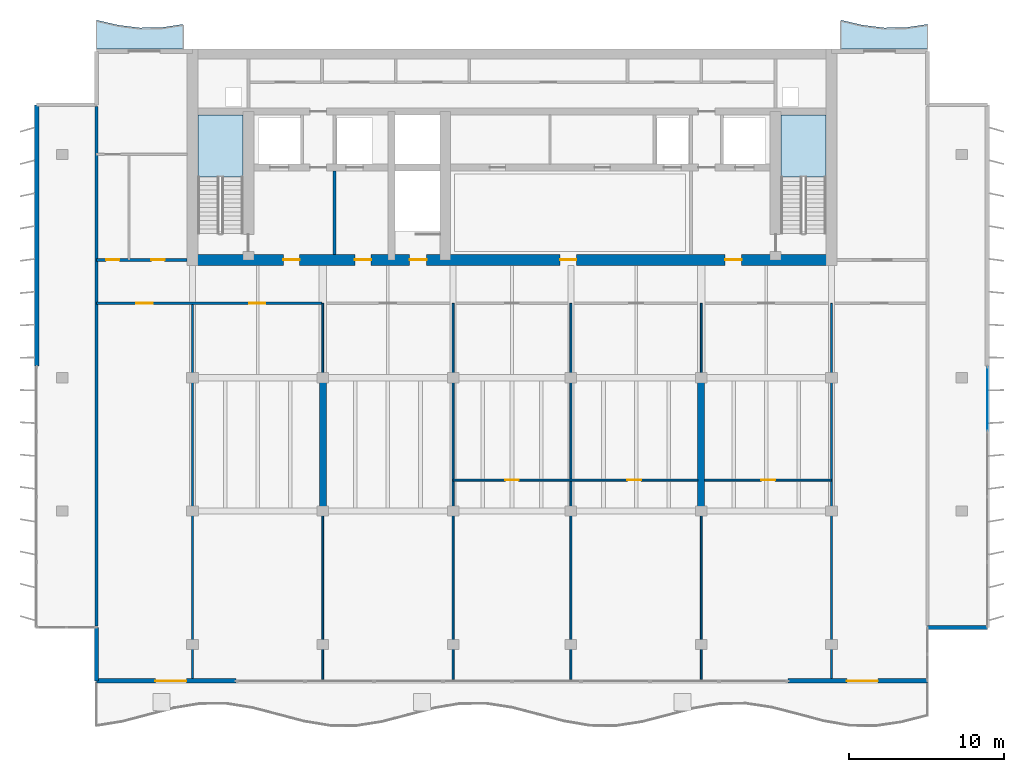
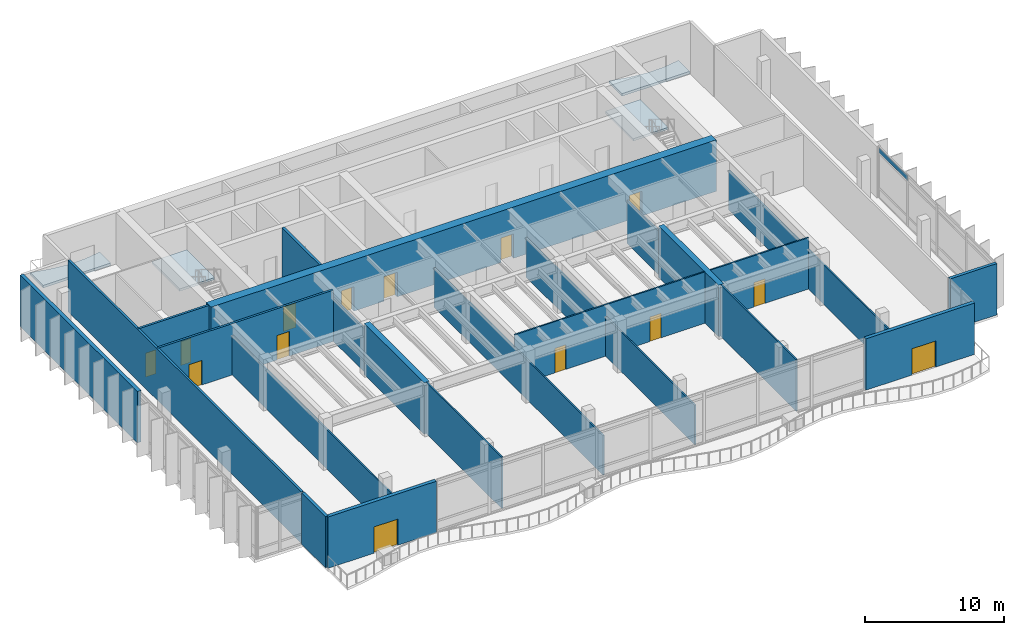
# One storey, part 6 of 14: 22 walls, 14 doors, 4 slabs, 1 plate, 14 openings, 3 elements without a shape of their own.
"""IFC4 building model written with IfcOpenShell, lengths in metres."""

from ifc_helpers import new_model, si_unit, direction, frame, frame_2d, origin, origin_2d, place, context, subcontext, project, spatial, polyline, rectangle, outline, extrude, material, layer, layer_set, type_object, element, fill, aggregate, save


model = new_model("IFC4")

# Units and contexts
model_context = context("Model", 3, precision=1e-05, world=origin(), true_north=direction((0.0, 1.0)))
body_context = subcontext(model_context, "Body", "Model", "MODEL_VIEW")
ifc_project = project(units=[si_unit("LENGTHUNIT", "METRE"), si_unit("AREAUNIT", "SQUARE_METRE"), si_unit("VOLUMEUNIT", "CUBIC_METRE"), si_unit("PLANEANGLEUNIT", "RADIAN"), si_unit("MASSUNIT", "GRAM", prefix="KILO")], contexts=[model_context])

# Site, building, storey
site_placement = place(None, origin())
site = spatial("IfcSite", under=ifc_project, at=site_placement, CompositionType="ELEMENT")
building_placement = place(site_placement, origin())
building = spatial("IfcBuilding", under=site, at=building_placement, Name="Caelmar Bay Residences", CompositionType="ELEMENT")
storey_placement = place(building_placement, frame((0.0, 0.0, 269.39990234375)))
storey = spatial("IfcBuildingStorey", under=building, at=storey_placement, Name="L76", CompositionType="ELEMENT", Elevation=269.39990234375)

# Curtain wall, plate
ifc_material_1 = material(Name="Anodised bronze aluminium 6063-T6 and laminated glass", Category="aluminium")
ifc_layer_1 = layer(ifc_material_1, 0.179931640625)
ifc_layer_set_1 = layer_set([ifc_layer_1], Name="Anodised bronze aluminium 6063-T6 and laminated glass")
curtain_wall_type = type_object("IfcCurtainWallType", Name="CW7-CRN", PredefinedType="NOTDEFINED", material=ifc_layer_set_1)
curtain_wall_placement = place(storey_placement, origin())
curtain_wall = element("IfcCurtainWall", 1, at=curtain_wall_placement, inside=storey, type_object=curtain_wall_type, Name="CW7 curtain wall L76", PredefinedType="NOTDEFINED")
ifc_material_2 = material(Name="Bronze-tinted laminated low-E hurricane glass 32 mm", Category="glass")
ifc_layer_2 = layer(ifc_material_2, 0.031982421875)
ifc_layer_set_2 = layer_set([ifc_layer_2], Name="Bronze-tinted laminated low-E hurricane glass 32 mm")
plate_type = type_object("IfcPlateType", Name="CWP-GLZ32", PredefinedType="CURTAIN_PANEL", material=ifc_layer_set_2)
plate_placement = place(storey_placement, frame((69.550048828125, 28.023681640625, 3.990234375), z_axis=(0.0, 0.0, 1.0), x_axis=(0.0, -1.0, 0.0)))
plate = element("IfcPlate", 2, at=plate_placement, type_object=plate_type, Name="CW7 panel 1.3", PredefinedType="CURTAIN_PANEL", context=body_context, shape_type="SweptSolid", body=[
    extrude(rectangle(XDim=4.092529296875, YDim=0.031982421875, at=origin_2d()), origin(), (0.0, 0.0, 1.0), 0.429931640625),
])
aggregate(curtain_wall, [plate])

# Slabs
ifc_material_3 = material(Name="Concrete f'c 40 MPa (6,000 psi)", Category="concrete")
ifc_layer_3 = layer(ifc_material_3, 0.219970703125)
ifc_layer_set_3 = layer_set([ifc_layer_3], Name="Concrete f'c 40 MPa (6,000 psi)")
slab_type_1 = type_object("IfcSlabType", Name="SLB-BAL-220", PredefinedType="FLOOR", material=ifc_layer_set_3)
slab_1_placement = place(storey_placement, frame((0.0, 0.0, -0.219970703125)))
element("IfcSlab", 3, at=slab_1_placement, inside=storey, type_object=slab_type_1, Name="L76 Sinusoidal Tree-Balcony Slab north_west", PredefinedType="FLOOR", context=body_context, shape_type="SweptSolid", body=[
    extrude(outline(polyline([(12.10009765625, 50.60009765625), (17.699951171875, 50.60009765625), (17.699951171875, 52.1982421875), (16.300048828125, 51.98681640625), (14.89990234375, 51.96630859375), (13.5, 52.142578125), (12.10009765625, 52.46826171875), (12.10009765625, 50.60009765625)])), origin(), (0.0, 0.0, 1.0), 0.219970703125),
])
slab_2_placement = place(storey_placement, frame((0.0, 0.0, -0.219970703125)))
element("IfcSlab", 4, at=slab_2_placement, inside=storey, type_object=slab_type_1, Name="L76 Sinusoidal Tree-Balcony Slab north_east", PredefinedType="FLOOR", context=body_context, shape_type="SweptSolid", body=[
    extrude(outline(polyline([(60.10009765625, 50.60009765625), (65.699951171875, 50.60009765625), (65.699951171875, 52.1982421875), (64.300048828125, 51.98681640625), (62.89990234375, 51.96630859375), (61.5, 52.142578125), (60.10009765625, 52.46826171875), (60.10009765625, 50.60009765625)])), origin(), (0.0, 0.0, 1.0), 0.219970703125),
])

# Stair, slab
stair_type = type_object("IfcStairType", Name="ST-TAL-170", PredefinedType="HALF_TURN_STAIR", material=ifc_material_3)
stair_1_placement = place(storey_placement, origin())
stair_1 = element("IfcStair", 5, at=stair_1_placement, inside=storey, type_object=stair_type, Name="L76 West Smokeproof Exit Stair ST1", PredefinedType="HALF_TURN_STAIR")
ifc_layer_4 = layer(ifc_material_3, 0.199951171875)
ifc_layer_set_4 = layer_set([ifc_layer_4], Name="Concrete f'c 40 MPa (6,000 psi)")
slab_type_2 = type_object("IfcSlabType", Name="SLB-LND-200", PredefinedType="LANDING", material=ifc_layer_set_4)
slab_3_placement = place(storey_placement, frame((0.0, 0.0, 2.2001953125)))
slab_3 = element("IfcSlab", 6, at=slab_3_placement, type_object=slab_type_2, Name="ST1 landing 1", PredefinedType="LANDING", context=body_context, shape_type="SweptSolid", body=[
    extrude(outline(polyline([(21.550048828125, 42.340087890625), (21.550048828125, 46.35009765625), (18.64990234375, 46.35009765625), (18.64990234375, 42.340087890625), (21.550048828125, 42.340087890625)])), origin(), (0.0, 0.0, 1.0), 0.199951171875),
])
aggregate(stair_1, [slab_3])

stair_2_placement = place(storey_placement, origin())
stair_2 = element("IfcStair", 7, at=stair_2_placement, inside=storey, type_object=stair_type, Name="L76 East Smokeproof Exit Stair ST2", PredefinedType="HALF_TURN_STAIR")
slab_4_placement = place(storey_placement, frame((0.0, 0.0, 2.2001953125)))
slab_4 = element("IfcSlab", 8, at=slab_4_placement, type_object=slab_type_2, Name="ST2 landing 1", PredefinedType="LANDING", context=body_context, shape_type="SweptSolid", body=[
    extrude(outline(polyline([(59.14990234375, 42.340087890625), (59.14990234375, 46.35009765625), (56.25, 46.35009765625), (56.25, 42.340087890625), (59.14990234375, 42.340087890625)])), origin(), (0.0, 0.0, 1.0), 0.199951171875),
])
aggregate(stair_2, [slab_4])

# Wall, openings, doors
ifc_material_4 = material(Name="Concrete f'c 55 MPa (8,000 psi)", Category="concrete")
ifc_layer_5 = layer(ifc_material_4, 0.699951171875)
ifc_layer_set_5 = layer_set([ifc_layer_5], Name="Concrete f'c 55 MPa (8,000 psi)")
wall_type_1 = type_object("IfcWallType", Name="SW-COR-700", PredefinedType="SHEAR", material=ifc_layer_set_5)
wall_1_placement = place(storey_placement, frame((17.949951171875, 37.0, 0.0), z_axis=(0.0, 0.0, 1.0), x_axis=(1.0, 0.0, 0.0)))
wall_1 = element("IfcWall", 9, at=wall_1_placement, inside=storey, type_object=wall_type_1, Name="L76 Rear Core South Shear Wall", PredefinedType="SHEAR", context=body_context, shape_type="SweptSolid", body=[
    extrude(rectangle(XDim=41.900146484375, YDim=0.699951171875, at=frame_2d((20.9501953125, 0.0))), origin(), (0.0, 0.0, 1.0), 4.5),
])
opening_1_placement = place(wall_1_placement, frame((14.35009765625, 0.0, 0.0)))
opening_1 = element("IfcOpeningElement", 10, at=opening_1_placement, cuts=wall_1, Name="Opening D-L76-105", PredefinedType="OPENING", context=body_context, shape_type="SweptSolid", body=[
    extrude(rectangle(XDim=1.10009765625, YDim=2.14990234375, at=frame_2d((0.550048828125, 1.074951171875))), frame((0.0, 0.35986328125, 0.0), z_axis=(0.0, -1.0, 0.0), x_axis=(1.0, 0.0, 0.0)), (0.0, 0.0, 1.0), 0.719970703125),
])
opening_2_placement = place(wall_1_placement, frame((6.199951171875, 0.0, 0.0)))
opening_2 = element("IfcOpeningElement", 11, at=opening_2_placement, cuts=wall_1, Name="Opening D-L76-106", PredefinedType="OPENING", context=body_context, shape_type="SweptSolid", body=[
    extrude(rectangle(XDim=1.050048828125, YDim=2.14990234375, at=frame_2d((0.52490234375, 1.074951171875))), frame((0.0, 0.35986328125, 0.0), z_axis=(0.0, -1.0, 0.0), x_axis=(1.0, 0.0, 0.0)), (0.0, 0.0, 1.0), 0.719970703125),
])
opening_3_placement = place(wall_1_placement, frame((34.699951171875, 0.0, 0.0)))
opening_3 = element("IfcOpeningElement", 12, at=opening_3_placement, cuts=wall_1, Name="Opening D-L76-109", PredefinedType="OPENING", context=body_context, shape_type="SweptSolid", body=[
    extrude(rectangle(XDim=1.050048828125, YDim=2.14990234375, at=frame_2d((0.52490234375, 1.074951171875))), frame((0.0, 0.35986328125, 0.0), z_axis=(0.0, -1.0, 0.0), x_axis=(1.0, 0.0, 0.0)), (0.0, 0.0, 1.0), 0.719970703125),
])
opening_4_placement = place(wall_1_placement, frame((10.8125, 0.0, 0.0)))
opening_4 = element("IfcOpeningElement", 13, at=opening_4_placement, cuts=wall_1, Name="Opening D-L76-112", PredefinedType="OPENING", context=body_context, shape_type="SweptSolid", body=[
    extrude(rectangle(XDim=1.050048828125, YDim=2.14990234375, at=frame_2d((0.52490234375, 1.074951171875))), frame((0.0, 0.35986328125, 0.0), z_axis=(0.0, -1.0, 0.0), x_axis=(1.0, 0.0, 0.0)), (0.0, 0.0, 1.0), 0.719970703125),
])
opening_5_placement = place(wall_1_placement, frame((24.050048828125, 0.0, 0.0)))
opening_5 = element("IfcOpeningElement", 14, at=opening_5_placement, cuts=wall_1, Name="Opening D-L76-113", PredefinedType="OPENING", context=body_context, shape_type="SweptSolid", body=[
    extrude(rectangle(XDim=1.050048828125, YDim=2.14990234375, at=frame_2d((0.52490234375, 1.074951171875))), frame((0.0, 0.35986328125, 0.0), z_axis=(0.0, -1.0, 0.0), x_axis=(1.0, 0.0, 0.0)), (0.0, 0.0, 1.0), 0.719970703125),
])
ifc_material_5 = material(Name="Fire-rated steel and walnut architectural door assembly", Category="steel")
ifc_layer_6 = layer(ifc_material_5, 0.050048828125)
ifc_layer_set_6 = layer_set([ifc_layer_6], Name="Fire-rated steel and walnut architectural door assembly")
door_type_1 = type_object("IfcDoorType", Name="D-FSAE-1050", OperationType="NOTDEFINED", PredefinedType="DOOR", material=ifc_layer_set_6)
door_1_placement = place(opening_2_placement, origin())
door_1 = element("IfcDoor", 15, at=door_1_placement, inside=storey, type_object=door_type_1, Name="L76 Firefighting Lobby West Door", OperationType="SINGLE_SWING_RIGHT", OverallHeight=2.14990234375, OverallWidth=1.050048828125, PredefinedType="DOOR", context=body_context, shape_type="SweptSolid", body=[
    extrude(rectangle(XDim=1.050048828125, YDim=2.14990234375, at=frame_2d((0.52490234375, 1.074951171875))), frame((0.0, 0.02490234375, 0.0), z_axis=(0.0, -1.0, 0.0), x_axis=(1.0, 0.0, 0.0)), (0.0, 0.0, 1.0), 0.050048828125),
])
fill(opening_2, door_1)
door_2_placement = place(opening_3_placement, origin())
door_2 = element("IfcDoor", 16, at=door_2_placement, inside=storey, type_object=door_type_1, Name="L76 Firefighting Lobby East Door", OperationType="SINGLE_SWING_LEFT", OverallHeight=2.14990234375, OverallWidth=1.050048828125, PredefinedType="DOOR", context=body_context, shape_type="SweptSolid", body=[
    extrude(rectangle(XDim=1.050048828125, YDim=2.14990234375, at=frame_2d((0.52490234375, 1.074951171875))), frame((0.0, 0.02490234375, 0.0), z_axis=(0.0, -1.0, 0.0), x_axis=(1.0, 0.0, 0.0)), (0.0, 0.0, 1.0), 0.050048828125),
])
fill(opening_3, door_2)
door_3_placement = place(opening_4_placement, origin())
door_3 = element("IfcDoor", 17, at=door_3_placement, inside=storey, type_object=door_type_1, Name="L76 West Lift Lobby Door", OperationType="SINGLE_SWING_RIGHT", OverallHeight=2.14990234375, OverallWidth=1.050048828125, PredefinedType="DOOR", context=body_context, shape_type="SweptSolid", body=[
    extrude(rectangle(XDim=1.050048828125, YDim=2.14990234375, at=frame_2d((0.52490234375, 1.074951171875))), frame((0.0, 0.02490234375, 0.0), z_axis=(0.0, -1.0, 0.0), x_axis=(1.0, 0.0, 0.0)), (0.0, 0.0, 1.0), 0.050048828125),
])
fill(opening_4, door_3)
door_4_placement = place(opening_5_placement, origin())
door_4 = element("IfcDoor", 18, at=door_4_placement, inside=storey, type_object=door_type_1, Name="L76 Passenger Lift Lobby Door", OperationType="SINGLE_SWING_LEFT", OverallHeight=2.14990234375, OverallWidth=1.050048828125, PredefinedType="DOOR", context=body_context, shape_type="SweptSolid", body=[
    extrude(rectangle(XDim=1.050048828125, YDim=2.14990234375, at=frame_2d((0.52490234375, 1.074951171875))), frame((0.0, 0.02490234375, 0.0), z_axis=(0.0, -1.0, 0.0), x_axis=(1.0, 0.0, 0.0)), (0.0, 0.0, 1.0), 0.050048828125),
])
fill(opening_5, door_4)
ifc_layer_7 = layer(ifc_material_5, 0.050048828125)
ifc_layer_set_7 = layer_set([ifc_layer_7], Name="Fire-rated steel and walnut architectural door assembly")
door_type_2 = type_object("IfcDoorType", Name="D-STAIR-1100", OperationType="NOTDEFINED", PredefinedType="DOOR", material=ifc_layer_set_7)
door_5_placement = place(opening_1_placement, origin())
door_5 = element("IfcDoor", 19, at=door_5_placement, inside=storey, type_object=door_type_2, Name="L76 Exit Stair ST3 Door", OperationType="SINGLE_SWING_LEFT", OverallHeight=2.14990234375, OverallWidth=1.10009765625, PredefinedType="DOOR", context=body_context, shape_type="SweptSolid", body=[
    extrude(rectangle(XDim=1.10009765625, YDim=2.14990234375, at=frame_2d((0.550048828125, 1.074951171875))), frame((0.0, 0.02490234375, 0.0), z_axis=(0.0, -1.0, 0.0), x_axis=(1.0, 0.0, 0.0)), (0.0, 0.0, 1.0), 0.050048828125),
])
fill(opening_1, door_5)

# Walls
ifc_layer_8 = layer(ifc_material_4, 0.449951171875)
ifc_layer_set_8 = layer_set([ifc_layer_8], Name="Concrete f'c 55 MPa (8,000 psi)")
wall_type_2 = type_object("IfcWallType", Name="SW-XSLB-450", PredefinedType="SHEAR", material=ifc_layer_set_8)
for number, where, z_axis, x_axis, name in (
    (20, (26.699951171875, 20.800048828125, 0.0), (0.0, 0.0, 1.0), (0.0, 1.0, 0.0), "L76 Transverse Cross-Slab Shear Wall W5"),
    (21, (51.10009765625, 20.800048828125, 0.0), (0.0, 0.0, 1.0), (0.0, 1.0, 0.0), "L76 Transverse Cross-Slab Shear Wall E8"),
):
    element("IfcWall", number, at=place(storey_placement, frame(where, z_axis=z_axis, x_axis=x_axis)), inside=storey, type_object=wall_type_2, Name=name, PredefinedType="SHEAR", context=body_context, shape_type="SweptSolid", body=[
        extrude(rectangle(XDim=8.599853515625, YDim=0.449951171875, at=frame_2d((4.2998046875, 0.0))), origin(), (0.0, 0.0, 1.0), 4.5),
    ])
ifc_material_6 = material(Name="Double-stud acoustic fire-rated gypsum partition 180 mm")
ifc_layer_9 = layer(ifc_material_6, 0.179931640625)
ifc_layer_set_9 = layer_set([ifc_layer_9], Name="Double-stud acoustic fire-rated gypsum partition 180 mm")
wall_type_3 = type_object("IfcWallType", Name="W-COR-200", PredefinedType="PARTITIONING", material=ifc_layer_set_9)
wall_2_placement = place(storey_placement, frame((12.10009765625, 13.385009765625, 0.0), z_axis=(0.0, 0.0, 1.0), x_axis=(0.0, 1.0, 0.0)))
element("IfcWall", 22, at=wall_2_placement, inside=storey, type_object=wall_type_3, Name="L76 Partition Wall V001", PredefinedType="PARTITIONING", context=body_context, shape_type="SweptSolid", body=[
    extrude(rectangle(XDim=33.494873046875, YDim=0.179931640625, at=frame_2d((16.74755859375, 0.0))), origin(), (0.0, 0.0, 1.0), 4.5),
])

# Wall, openings, doors
wall_3_placement = place(storey_placement, frame((12.10009765625, 34.199951171875, 0.0), z_axis=(0.0, 0.0, 1.0), x_axis=(1.0, 0.0, 0.0)))
wall_3 = element("IfcWall", 23, at=wall_3_placement, inside=storey, type_object=wall_type_3, Name="L76 Partition Wall H029", PredefinedType="PARTITIONING", context=body_context, shape_type="SweptSolid", body=[
    extrude(rectangle(XDim=14.5498046875, YDim=0.179931640625, at=frame_2d((7.27490234375, 0.0))), origin(), (0.0, 0.0, 1.0), 4.5),
])
opening_6_placement = place(wall_3_placement, frame((2.574951171875, 0.0, 0.0)))
opening_6 = element("IfcOpeningElement", 24, at=opening_6_placement, cuts=wall_3, Name="Opening D-L76-127", PredefinedType="OPENING", context=body_context, shape_type="SweptSolid", body=[
    extrude(rectangle(XDim=1.050048828125, YDim=2.14990234375, at=frame_2d((0.52490234375, 1.074951171875))), frame((0.0, 0.099853515625, 0.0), z_axis=(0.0, -1.0, 0.0), x_axis=(1.0, 0.0, 0.0)), (0.0, 0.0, 1.0), 0.199951171875),
])
opening_7_placement = place(wall_3_placement, frame((9.85009765625, 0.0, 0.0)))
opening_7 = element("IfcOpeningElement", 25, at=opening_7_placement, cuts=wall_3, Name="Opening D-L76-128", PredefinedType="OPENING", context=body_context, shape_type="SweptSolid", body=[
    extrude(rectangle(XDim=1.050048828125, YDim=2.14990234375, at=frame_2d((0.52490234375, 1.074951171875))), frame((0.0, 0.099853515625, 0.0), z_axis=(0.0, -1.0, 0.0), x_axis=(1.0, 0.0, 0.0)), (0.0, 0.0, 1.0), 0.199951171875),
])
door_6_placement = place(opening_6_placement, origin())
door_6 = element("IfcDoor", 26, at=door_6_placement, inside=storey, type_object=door_type_1, Name="L76 Sky Salon Co-Working Suite Door", OperationType="SINGLE_SWING_LEFT", OverallHeight=2.14990234375, OverallWidth=1.050048828125, PredefinedType="DOOR", context=body_context, shape_type="SweptSolid", body=[
    extrude(rectangle(XDim=1.050048828125, YDim=2.14990234375, at=frame_2d((0.52490234375, 1.074951171875))), frame((0.0, 0.02490234375, 0.0), z_axis=(0.0, -1.0, 0.0), x_axis=(1.0, 0.0, 0.0)), (0.0, 0.0, 1.0), 0.050048828125),
])
fill(opening_6, door_6)
door_7_placement = place(opening_7_placement, origin())
door_7 = element("IfcDoor", 27, at=door_7_placement, inside=storey, type_object=door_type_1, Name="L76 Sky Salon Study Library Door", OperationType="SINGLE_SWING_RIGHT", OverallHeight=2.14990234375, OverallWidth=1.050048828125, PredefinedType="DOOR", context=body_context, shape_type="SweptSolid", body=[
    extrude(rectangle(XDim=1.050048828125, YDim=2.14990234375, at=frame_2d((0.52490234375, 1.074951171875))), frame((0.0, 0.02490234375, 0.0), z_axis=(0.0, -1.0, 0.0), x_axis=(1.0, 0.0, 0.0)), (0.0, 0.0, 1.0), 0.050048828125),
])
fill(opening_7, door_7)

wall_4_placement = place(storey_placement, frame((12.10009765625, 37.0, 0.0), z_axis=(0.0, 0.0, 1.0), x_axis=(1.0, 0.0, 0.0)))
wall_4 = element("IfcWall", 28, at=wall_4_placement, inside=storey, type_object=wall_type_3, Name="L76 Partition Wall H031", PredefinedType="PARTITIONING", context=body_context, shape_type="SweptSolid", body=[
    extrude(rectangle(XDim=5.844970703125, YDim=0.179931640625, at=frame_2d((2.92236328125, 0.0))), origin(), (0.0, 0.0, 1.0), 4.5),
])
opening_8_placement = place(wall_4_placement, frame((0.625, 0.0, 0.0)))
opening_8 = element("IfcOpeningElement", 29, at=opening_8_placement, cuts=wall_4, Name="Opening D-L76-132", PredefinedType="OPENING", context=body_context, shape_type="SweptSolid", body=[
    extrude(rectangle(XDim=0.85009765625, YDim=2.10009765625, at=frame_2d((0.425048828125, 1.050048828125))), frame((0.0, 0.099853515625, 0.0), z_axis=(0.0, -1.0, 0.0), x_axis=(1.0, 0.0, 0.0)), (0.0, 0.0, 1.0), 0.199951171875),
])
opening_9_placement = place(wall_4_placement, frame((3.547607421875, 0.0, 0.0)))
opening_9 = element("IfcOpeningElement", 30, at=opening_9_placement, cuts=wall_4, Name="Opening D-L76-133", PredefinedType="OPENING", context=body_context, shape_type="SweptSolid", body=[
    extrude(rectangle(XDim=0.85009765625, YDim=2.10009765625, at=frame_2d((0.425048828125, 1.050048828125))), frame((0.0, 0.099853515625, 0.0), z_axis=(0.0, -1.0, 0.0), x_axis=(1.0, 0.0, 0.0)), (0.0, 0.0, 1.0), 0.199951171875),
])
ifc_material_7 = material(Name="Solid walnut timber interior door leaf and frame", Category="wood")
ifc_layer_10 = layer(ifc_material_7, 0.050048828125)
ifc_layer_set_10 = layer_set([ifc_layer_10], Name="Solid walnut timber interior door leaf and frame")
door_type_3 = type_object("IfcDoorType", Name="D-BATH-850", OperationType="NOTDEFINED", PredefinedType="DOOR", material=ifc_layer_set_10)
door_8_placement = place(opening_8_placement, origin())
door_8 = element("IfcDoor", 31, at=door_8_placement, inside=storey, type_object=door_type_3, Name="L76 Sky Salon Public Restroom Door", OperationType="SINGLE_SWING_RIGHT", OverallHeight=2.10009765625, OverallWidth=0.85009765625, PredefinedType="DOOR", context=body_context, shape_type="SweptSolid", body=[
    extrude(rectangle(XDim=0.85009765625, YDim=2.10009765625, at=frame_2d((0.425048828125, 1.050048828125))), frame((0.0, 0.02490234375, 0.0), z_axis=(0.0, -1.0, 0.0), x_axis=(1.0, 0.0, 0.0)), (0.0, 0.0, 1.0), 0.050048828125),
])
fill(opening_8, door_8)
door_9_placement = place(opening_9_placement, origin())
door_9 = element("IfcDoor", 32, at=door_9_placement, inside=storey, type_object=door_type_3, Name="L76 Sky Salon Accessible WC Door", OperationType="SINGLE_SWING_LEFT", OverallHeight=2.10009765625, OverallWidth=0.85009765625, PredefinedType="DOOR", context=body_context, shape_type="SweptSolid", body=[
    extrude(rectangle(XDim=0.85009765625, YDim=2.10009765625, at=frame_2d((0.425048828125, 1.050048828125))), frame((0.0, 0.02490234375, 0.0), z_axis=(0.0, -1.0, 0.0), x_axis=(1.0, 0.0, 0.0)), (0.0, 0.0, 1.0), 0.050048828125),
])
fill(opening_9, door_9)

# Walls
ifc_material_8 = material(Name="Precast concrete f'c 40 MPa (6,000 psi)", Category="concrete")
ifc_layer_11 = layer(ifc_material_8, 0.25)
ifc_layer_set_11 = layer_set([ifc_layer_11], Name="Precast concrete f'c 40 MPa (6,000 psi)")
wall_type_4 = type_object("IfcWallType", Name="W-EXT-250", PredefinedType="ELEMENTEDWALL", material=ifc_layer_set_11)
wall_5_placement = place(storey_placement, frame((12.10009765625, 13.300048828125, 0.0), z_axis=(0.0, 0.0, 1.0), x_axis=(0.0, -1.0, 0.0)))
element("IfcWall", 33, at=wall_5_placement, inside=storey, type_object=wall_type_4, Name="L76 SW Notch Return Wall", PredefinedType="ELEMENTEDWALL", context=body_context, shape_type="SweptSolid", body=[
    extrude(rectangle(XDim=3.449951171875, YDim=0.25, at=frame_2d((1.72509765625, 0.0))), origin(), (0.0, 0.0, 1.0), 4.5),
])
wall_6_placement = place(storey_placement, frame((65.699951171875, 13.300048828125, 0.0), z_axis=(0.0, 0.0, 1.0), x_axis=(1.0, 0.0, 0.0)))
element("IfcWall", 34, at=wall_6_placement, inside=storey, type_object=wall_type_4, Name="L76 SE Notch Return Wall", PredefinedType="ELEMENTEDWALL", context=body_context, shape_type="SweptSolid", body=[
    extrude(rectangle(XDim=3.85009765625, YDim=0.25, at=frame_2d((1.925048828125, 0.0))), origin(), (0.0, 0.0, 1.0), 4.5),
])

# Wall, opening, door
ifc_layer_12 = layer(ifc_material_8, 0.300048828125)
ifc_layer_set_12 = layer_set([ifc_layer_12], Name="Precast concrete f'c 40 MPa (6,000 psi)")
wall_type_5 = type_object("IfcWallType", Name="W-EXT-300", PredefinedType="STANDARD", material=ifc_layer_set_12)
wall_7_placement = place(storey_placement, frame((65.699951171875, 9.85009765625, 0.0), z_axis=(0.0, 0.0, 1.0), x_axis=(-1.0, 0.0, 0.0)))
wall_7 = element("IfcWall", 35, at=wall_7_placement, inside=storey, type_object=wall_type_5, Name="L76 South-East Pier Wall", PredefinedType="STANDARD", context=body_context, shape_type="SweptSolid", body=[
    extrude(rectangle(XDim=9.0, YDim=0.300048828125, at=frame_2d((4.5, 0.0))), origin(), (0.0, 0.0, 1.0), 4.5),
])
opening_10_placement = place(wall_7_placement, frame((3.199951171875, 0.0, 0.0)))
opening_10 = element("IfcOpeningElement", 36, at=opening_10_placement, cuts=wall_7, Name="Opening L76-BD02", PredefinedType="OPENING", context=body_context, shape_type="SweptSolid", body=[
    extrude(rectangle(XDim=2.0, YDim=2.300048828125, at=frame_2d((1.0, 1.14990234375))), frame((0.0, 0.159912109375, 0.0), z_axis=(0.0, -1.0, 0.0), x_axis=(1.0, 0.0, 0.0)), (0.0, 0.0, 1.0), 0.320068359375),
])
ifc_material_9 = material(Name="Anodised bronze thermally broken sliding glass door", Category="glass")
ifc_layer_13 = layer(ifc_material_9, 0.050048828125)
ifc_layer_set_13 = layer_set([ifc_layer_13], Name="Anodised bronze thermally broken sliding glass door")
door_type_4 = type_object("IfcDoorType", Name="D-BAL-2000", OperationType="DOUBLE_DOOR_SLIDING", PredefinedType="DOOR", material=ifc_layer_set_13)
door_10_placement = place(opening_10_placement, origin())
door_10 = element("IfcDoor", 37, at=door_10_placement, inside=storey, type_object=door_type_4, Name="L76 Sky Terrace Door East", OperationType="DOUBLE_DOOR_SLIDING", OverallHeight=2.300048828125, OverallWidth=2.0, PredefinedType="DOOR", context=body_context, shape_type="SweptSolid", body=[
    extrude(rectangle(XDim=2.0, YDim=2.300048828125, at=frame_2d((1.0, 1.14990234375))), frame((0.0, 0.02490234375, 0.0), z_axis=(0.0, -1.0, 0.0), x_axis=(1.0, 0.0, 0.0)), (0.0, 0.0, 1.0), 0.050048828125),
])
fill(opening_10, door_10)

wall_8_placement = place(storey_placement, frame((21.10009765625, 9.85009765625, 0.0), z_axis=(0.0, 0.0, 1.0), x_axis=(-1.0, 0.0, 0.0)))
wall_8 = element("IfcWall", 38, at=wall_8_placement, inside=storey, type_object=wall_type_5, Name="L76 South-West Pier Wall", PredefinedType="STANDARD", context=body_context, shape_type="SweptSolid", body=[
    extrude(rectangle(XDim=9.0, YDim=0.300048828125, at=frame_2d((4.5, 0.0))), origin(), (0.0, 0.0, 1.0), 4.5),
])
opening_11_placement = place(wall_8_placement, frame((3.199951171875, 0.0, 0.0)))
opening_11 = element("IfcOpeningElement", 39, at=opening_11_placement, cuts=wall_8, Name="Opening L76-BD01", PredefinedType="OPENING", context=body_context, shape_type="SweptSolid", body=[
    extrude(rectangle(XDim=2.0, YDim=2.300048828125, at=frame_2d((1.0, 1.14990234375))), frame((0.0, 0.159912109375, 0.0), z_axis=(0.0, -1.0, 0.0), x_axis=(1.0, 0.0, 0.0)), (0.0, 0.0, 1.0), 0.320068359375),
])
door_11_placement = place(opening_11_placement, origin())
door_11 = element("IfcDoor", 40, at=door_11_placement, inside=storey, type_object=door_type_4, Name="L76 Sky Terrace Door West", OperationType="DOUBLE_DOOR_SLIDING", OverallHeight=2.300048828125, OverallWidth=2.0, PredefinedType="DOOR", context=body_context, shape_type="SweptSolid", body=[
    extrude(rectangle(XDim=2.0, YDim=2.300048828125, at=frame_2d((1.0, 1.14990234375))), frame((0.0, 0.02490234375, 0.0), z_axis=(0.0, -1.0, 0.0), x_axis=(1.0, 0.0, 0.0)), (0.0, 0.0, 1.0), 0.050048828125),
])
fill(opening_11, door_11)

# Walls
wall_9_placement = place(storey_placement, frame((8.25, 30.14990234375, 0.0), z_axis=(0.0, 0.0, 1.0), x_axis=(0.0, 1.0, 0.0)))
element("IfcWall", 41, at=wall_9_placement, inside=storey, type_object=wall_type_5, Name="L76 West Rear Exterior Wall", PredefinedType="STANDARD", context=body_context, shape_type="SweptSolid", body=[
    extrude(rectangle(XDim=16.85009765625, YDim=0.300048828125, at=frame_2d((8.425048828125, 0.0))), origin(), (0.0, 0.0, 1.0), 4.5),
])
ifc_material_10 = material(Name="Fire-rated masonry and gypsum shaftliner assembly 200 mm", Category="masonry")
ifc_layer_14 = layer(ifc_material_10, 0.199951171875)
ifc_layer_set_14 = layer_set([ifc_layer_14], Name="Fire-rated masonry and gypsum shaftliner assembly 200 mm")
wall_type_6 = type_object("IfcWallType", Name="W-FSAE-200", PredefinedType="PARTITIONING", material=ifc_layer_set_14)
wall_10_placement = place(storey_placement, frame((27.449951171875, 37.344970703125, 0.0), z_axis=(0.0, 0.0, 1.0), x_axis=(0.0, 1.0, 0.0)))
element("IfcWall", 42, at=wall_10_placement, inside=storey, type_object=wall_type_6, Name="L76 Partition Wall V009", PredefinedType="PARTITIONING", context=body_context, shape_type="SweptSolid", body=[
    extrude(rectangle(XDim=5.385009765625, YDim=0.199951171875, at=frame_2d((2.6923828125, 0.0))), origin(), (0.0, 0.0, 1.0), 4.5),
])
ifc_material_11 = material(Name="Acoustic metal-stud gypsum partition 120 mm")
ifc_layer_15 = layer(ifc_material_11, 0.1201171875)
ifc_layer_set_15 = layer_set([ifc_layer_15], Name="Acoustic metal-stud gypsum partition 120 mm")
wall_type_7 = type_object("IfcWallType", Name="W-PRT-120", PredefinedType="PARTITIONING", material=ifc_layer_set_15)
wall_11_placement = place(storey_placement, frame((18.300048828125, 9.9951171875, 0.0), z_axis=(0.0, 0.0, 1.0), x_axis=(0.0, 1.0, 0.0)))
element("IfcWall", 43, at=wall_11_placement, inside=storey, type_object=wall_type_7, Name="L76 Partition Wall V003", PredefinedType="PARTITIONING", context=body_context, shape_type="SweptSolid", body=[
    extrude(rectangle(XDim=24.204833984375, YDim=0.1201171875, at=frame_2d((12.1025390625, 0.0))), origin(), (0.0, 0.0, 1.0), 3.464111328125),
])
wall_12_placement = place(storey_placement, frame((26.699951171875, 9.955078125, 0.0), z_axis=(0.0, 0.0, 1.0), x_axis=(0.0, 1.0, 0.0)))
element("IfcWall", 44, at=wall_12_placement, inside=storey, type_object=wall_type_7, Name="L76 Partition Wall V007", PredefinedType="PARTITIONING", context=body_context, shape_type="SweptSolid", body=[
    extrude(rectangle(XDim=10.83984375, YDim=0.1201171875, at=frame_2d((5.419921875, 0.0))), origin(), (0.0, 0.0, 1.0), 4.5),
])
wall_13_placement = place(storey_placement, frame((26.699951171875, 29.405029296875, 0.0), z_axis=(0.0, 0.0, 1.0), x_axis=(0.0, 1.0, 0.0)))
element("IfcWall", 45, at=wall_13_placement, inside=storey, type_object=wall_type_7, Name="L76 Partition Wall V008", PredefinedType="PARTITIONING", context=body_context, shape_type="SweptSolid", body=[
    extrude(rectangle(XDim=4.794921875, YDim=0.1201171875, at=frame_2d((2.3974609375, 0.0))), origin(), (0.0, 0.0, 1.0), 3.78515625),
])
for number, where, z_axis, x_axis, name in (
    (46, (35.10009765625, 9.955078125, 0.0), (0.0, 0.0, 1.0), (0.0, 1.0, 0.0), "L76 Partition Wall V012"),
    (47, (42.699951171875, 9.955078125, 0.0), (0.0, 0.0, 1.0), (0.0, 1.0, 0.0), "L76 Partition Wall V015"),
):
    element("IfcWall", number, at=place(storey_placement, frame(where, z_axis=z_axis, x_axis=x_axis)), inside=storey, type_object=wall_type_7, Name=name, PredefinedType="PARTITIONING", context=body_context, shape_type="SweptSolid", body=[
        extrude(rectangle(XDim=24.244873046875, YDim=0.1201171875, at=frame_2d((12.12255859375, 0.0))), origin(), (0.0, 0.0, 1.0), 3.464111328125),
    ])
wall_14_placement = place(storey_placement, frame((51.10009765625, 9.955078125, 0.0), z_axis=(0.0, 0.0, 1.0), x_axis=(0.0, 1.0, 0.0)))
element("IfcWall", 48, at=wall_14_placement, inside=storey, type_object=wall_type_7, Name="L76 Partition Wall V020", PredefinedType="PARTITIONING", context=body_context, shape_type="SweptSolid", body=[
    extrude(rectangle(XDim=10.83984375, YDim=0.1201171875, at=frame_2d((5.419921875, 0.0))), origin(), (0.0, 0.0, 1.0), 4.5),
])
wall_15_placement = place(storey_placement, frame((51.10009765625, 29.405029296875, 0.0), z_axis=(0.0, 0.0, 1.0), x_axis=(0.0, 1.0, 0.0)))
element("IfcWall", 49, at=wall_15_placement, inside=storey, type_object=wall_type_7, Name="L76 Partition Wall V021", PredefinedType="PARTITIONING", context=body_context, shape_type="SweptSolid", body=[
    extrude(rectangle(XDim=4.794921875, YDim=0.1201171875, at=frame_2d((2.3974609375, 0.0))), origin(), (0.0, 0.0, 1.0), 3.78515625),
])
wall_16_placement = place(storey_placement, frame((59.5, 9.9951171875, 0.0), z_axis=(0.0, 0.0, 1.0), x_axis=(0.0, 1.0, 0.0)))
element("IfcWall", 50, at=wall_16_placement, inside=storey, type_object=wall_type_7, Name="L76 Partition Wall V025", PredefinedType="PARTITIONING", context=body_context, shape_type="SweptSolid", body=[
    extrude(rectangle(XDim=24.204833984375, YDim=0.1201171875, at=frame_2d((12.1025390625, 0.0))), origin(), (0.0, 0.0, 1.0), 3.464111328125),
])

# Wall, openings, doors
wall_17_placement = place(storey_placement, frame((35.10009765625, 22.800048828125, 0.0), z_axis=(0.0, 0.0, 1.0), x_axis=(1.0, 0.0, 0.0)))
wall_17 = element("IfcWall", 51, at=wall_17_placement, inside=storey, type_object=wall_type_7, Name="L76 Partition Wall H027", PredefinedType="PARTITIONING", context=body_context, shape_type="SweptSolid", body=[
    extrude(rectangle(XDim=15.77978515625, YDim=0.1201171875, at=frame_2d((7.889892578125, 0.0))), origin(), (0.0, 0.0, 1.0), 4.5),
])
opening_12_placement = place(wall_17_placement, frame((3.35009765625, 0.0, 0.0)))
opening_12 = element("IfcOpeningElement", 52, at=opening_12_placement, cuts=wall_17, Name="Opening D-L76-135", PredefinedType="OPENING", context=body_context, shape_type="SweptSolid", body=[
    extrude(rectangle(XDim=0.89990234375, YDim=2.14990234375, at=frame_2d((0.449951171875, 1.074951171875))), frame((0.0, 0.070068359375, 0.0), z_axis=(0.0, -1.0, 0.0), x_axis=(1.0, 0.0, 0.0)), (0.0, 0.0, 1.0), 0.14013671875),
])
opening_13_placement = place(wall_17_placement, frame((11.239990234375, 0.0, 0.0)))
opening_13 = element("IfcOpeningElement", 53, at=opening_13_placement, cuts=wall_17, Name="Opening D-L76-136", PredefinedType="OPENING", context=body_context, shape_type="SweptSolid", body=[
    extrude(rectangle(XDim=0.89990234375, YDim=2.14990234375, at=frame_2d((0.449951171875, 1.074951171875))), frame((0.0, 0.070068359375, 0.0), z_axis=(0.0, -1.0, 0.0), x_axis=(1.0, 0.0, 0.0)), (0.0, 0.0, 1.0), 0.14013671875),
])
ifc_layer_16 = layer(ifc_material_7, 0.050048828125)
ifc_layer_set_16 = layer_set([ifc_layer_16], Name="Solid walnut timber interior door leaf and frame")
door_type_5 = type_object("IfcDoorType", Name="D-ROOM-900", OperationType="NOTDEFINED", PredefinedType="DOOR", material=ifc_layer_set_16)
door_12_placement = place(opening_12_placement, origin())
door_12 = element("IfcDoor", 54, at=door_12_placement, inside=storey, type_object=door_type_5, Name="L76 Sky Salon Executive Study Door", OperationType="SINGLE_SWING_LEFT", OverallHeight=2.14990234375, OverallWidth=0.89990234375, PredefinedType="DOOR", context=body_context, shape_type="SweptSolid", body=[
    extrude(rectangle(XDim=0.89990234375, YDim=2.14990234375, at=frame_2d((0.449951171875, 1.074951171875))), frame((0.0, 0.02490234375, 0.0), z_axis=(0.0, -1.0, 0.0), x_axis=(1.0, 0.0, 0.0)), (0.0, 0.0, 1.0), 0.050048828125),
])
fill(opening_12, door_12)
door_13_placement = place(opening_13_placement, origin())
door_13 = element("IfcDoor", 55, at=door_13_placement, inside=storey, type_object=door_type_5, Name="L76 Sky Salon Reading Room Door", OperationType="SINGLE_SWING_RIGHT", OverallHeight=2.14990234375, OverallWidth=0.89990234375, PredefinedType="DOOR", context=body_context, shape_type="SweptSolid", body=[
    extrude(rectangle(XDim=0.89990234375, YDim=2.14990234375, at=frame_2d((0.449951171875, 1.074951171875))), frame((0.0, 0.02490234375, 0.0), z_axis=(0.0, -1.0, 0.0), x_axis=(1.0, 0.0, 0.0)), (0.0, 0.0, 1.0), 0.050048828125),
])
fill(opening_13, door_13)

# Wall, opening, door
wall_18_placement = place(storey_placement, frame((51.320068359375, 22.800048828125, 0.0), z_axis=(0.0, 0.0, 1.0), x_axis=(1.0, 0.0, 0.0)))
wall_18 = element("IfcWall", 56, at=wall_18_placement, inside=storey, type_object=wall_type_7, Name="L76 Partition Wall H028", PredefinedType="PARTITIONING", context=body_context, shape_type="SweptSolid", body=[
    extrude(rectangle(XDim=8.179931640625, YDim=0.1201171875, at=frame_2d((4.08984375, 0.0))), origin(), (0.0, 0.0, 1.0), 4.5),
])
opening_14_placement = place(wall_18_placement, frame((3.639892578125, 0.0, 0.0)))
opening_14 = element("IfcOpeningElement", 57, at=opening_14_placement, cuts=wall_18, Name="Opening D-L76-126", PredefinedType="OPENING", context=body_context, shape_type="SweptSolid", body=[
    extrude(rectangle(XDim=0.89990234375, YDim=2.14990234375, at=frame_2d((0.449951171875, 1.074951171875))), frame((0.0, 0.070068359375, 0.0), z_axis=(0.0, -1.0, 0.0), x_axis=(1.0, 0.0, 0.0)), (0.0, 0.0, 1.0), 0.14013671875),
])
door_14_placement = place(opening_14_placement, origin())
door_14 = element("IfcDoor", 58, at=door_14_placement, inside=storey, type_object=door_type_5, Name="L76 Sky Salon Kitchen Door", OperationType="SINGLE_SWING_RIGHT", OverallHeight=2.14990234375, OverallWidth=0.89990234375, PredefinedType="DOOR", context=body_context, shape_type="SweptSolid", body=[
    extrude(rectangle(XDim=0.89990234375, YDim=2.14990234375, at=frame_2d((0.449951171875, 1.074951171875))), frame((0.0, 0.02490234375, 0.0), z_axis=(0.0, -1.0, 0.0), x_axis=(1.0, 0.0, 0.0)), (0.0, 0.0, 1.0), 0.050048828125),
])
fill(opening_14, door_14)

save(model, "model.ifc")
